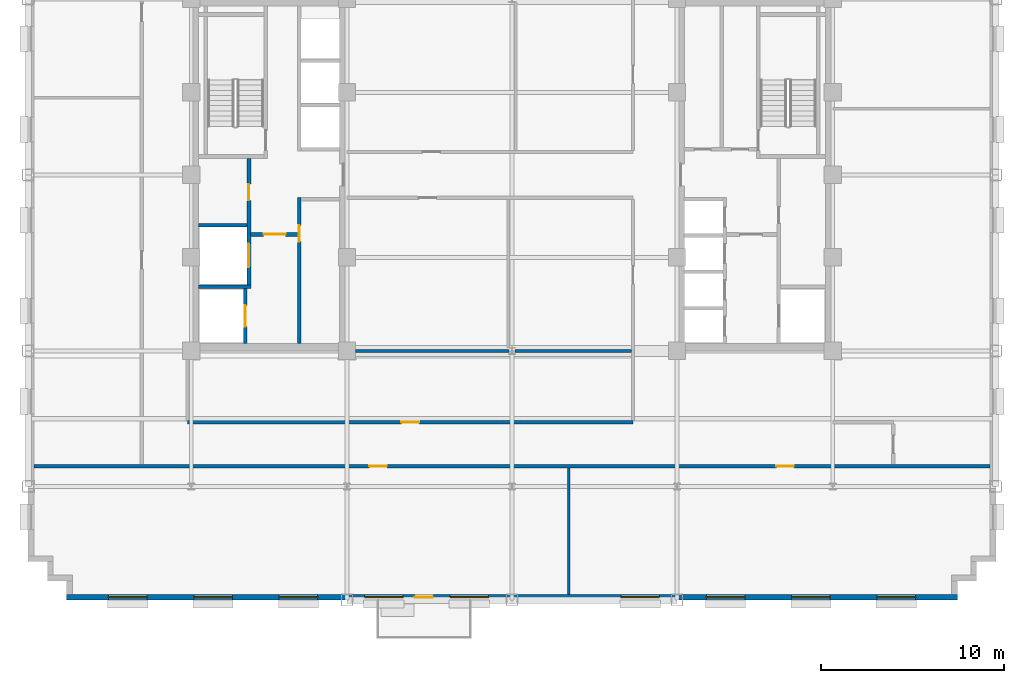
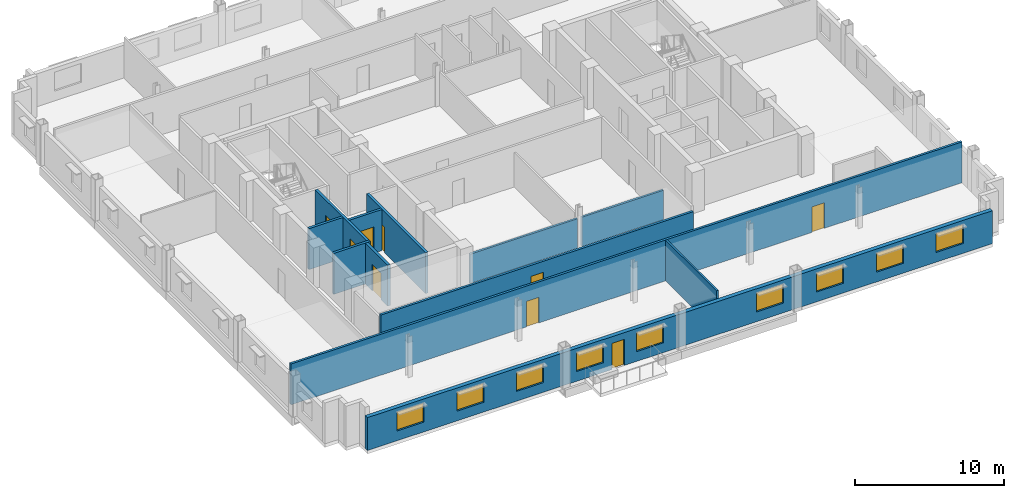
# One storey, part 6 of 14: 12 walls, 9 doors, 9 windows, 18 openings.
"""IFC4 building model written with IfcOpenShell, lengths in metres."""

from ifc_helpers import new_model, si_unit, direction, frame, frame_2d, origin, place, context, subcontext, project, spatial, rectangle, extrude, source, transform, mapped, material, layer, layer_set, type_object, type_shapes, element, fill, save


model = new_model("IFC4")

# Units and contexts
model_context = context("Model", 3, precision=1e-05, world=origin(), true_north=direction((0.0, 1.0)))
body_context = subcontext(model_context, "Body", "Model", "MODEL_VIEW")
ifc_project = project(units=[si_unit("LENGTHUNIT", "METRE"), si_unit("AREAUNIT", "SQUARE_METRE"), si_unit("VOLUMEUNIT", "CUBIC_METRE"), si_unit("PLANEANGLEUNIT", "RADIAN"), si_unit("MASSUNIT", "GRAM", prefix="KILO")], contexts=[model_context])

# Site, building, storey
site_placement = place(None, origin())
site = spatial("IfcSite", under=ifc_project, at=site_placement, CompositionType="ELEMENT")
building_placement = place(site_placement, origin())
building = spatial("IfcBuilding", under=site, at=building_placement, Name="Nuvemarco Arch Tower", CompositionType="ELEMENT")
storey_placement = place(building_placement, frame((0.0, 0.0, 142.10009765625)))
storey = spatial("IfcBuildingStorey", under=building, at=storey_placement, Name="L37", CompositionType="ELEMENT", Elevation=142.10009765625)

# Wall, openings, door, windows
ifc_material_1 = material(Name="Precast concrete C45/55", Category="concrete")
ifc_layer_1 = layer(ifc_material_1, 0.320068359375, Name="EW-MID-320")
ifc_layer_set_1 = layer_set([ifc_layer_1], Name="Precast concrete C45/55")
wall_type_1 = type_object("IfcWallType", Name="EW-MID-320", PredefinedType="STANDARD", material=ifc_layer_set_1)
wall_1_placement = place(storey_placement, frame((-24.300048828125, -23.0400390625, 0.0), z_axis=(0.0, 0.0, 1.0), x_axis=(1.0, 0.0, 0.0)))
wall_1 = element("IfcWall", 1, at=wall_1_placement, inside=storey, type_object=wall_type_1, Name="L37 exterior precast facade wall 1", PredefinedType="STANDARD", context=body_context, shape_type="SweptSolid", body=[
    extrude(rectangle(XDim=48.60009765625, YDim=0.320068359375, at=frame_2d((24.300048828125, 0.0))), origin(), (0.0, 0.0, 1.0), 2.704833984375),
])
opening_1_placement = place(wall_1_placement, frame((19.97998046875, 0.0, 0.0), z_axis=(0.0, 0.0, 1.0), x_axis=(-1.0, 0.0, 0.0)))
opening_1 = element("IfcOpeningElement", 2, at=opening_1_placement, cuts=wall_1, Name="Opening ED-6", PredefinedType="OPENING", context=body_context, shape_type="SweptSolid", body=[
    extrude(rectangle(XDim=0.97998046875, YDim=2.14990234375, at=frame_2d((0.489990234375, 1.074951171875))), frame((0.0, 0.169921875, 0.0), z_axis=(0.0, -1.0, 0.0), x_axis=(1.0, 0.0, 0.0)), (0.0, 0.0, 1.0), 0.340087890625),
])
opening_2_placement = place(wall_1_placement, frame((2.280029296875, 0.0, 0.800048828125)))
opening_2 = element("IfcOpeningElement", 3, at=opening_2_placement, cuts=wall_1, Name="Opening WN-5", PredefinedType="OPENING", context=body_context, shape_type="SweptSolid", body=[
    extrude(rectangle(XDim=2.10009765625, YDim=1.56005859375, at=frame_2d((1.050048828125, 0.780029296875))), frame((0.0, 0.169921875, 0.0), z_axis=(0.0, -1.0, 0.0), x_axis=(1.0, 0.0, 0.0)), (0.0, 0.0, 1.0), 0.340087890625),
])
opening_3_placement = place(wall_1_placement, frame((6.93994140625, 0.0, 0.800048828125)))
opening_3 = element("IfcOpeningElement", 4, at=opening_3_placement, cuts=wall_1, Name="Opening WN-5", PredefinedType="OPENING", context=body_context, shape_type="SweptSolid", body=[
    extrude(rectangle(XDim=2.10009765625, YDim=1.56005859375, at=frame_2d((1.050048828125, 0.780029296875))), frame((0.0, 0.169921875, 0.0), z_axis=(0.0, -1.0, 0.0), x_axis=(1.0, 0.0, 0.0)), (0.0, 0.0, 1.0), 0.340087890625),
])
opening_4_placement = place(wall_1_placement, frame((11.60009765625, 0.0, 0.800048828125)))
opening_4 = element("IfcOpeningElement", 5, at=opening_4_placement, cuts=wall_1, Name="Opening WN-5", PredefinedType="OPENING", context=body_context, shape_type="SweptSolid", body=[
    extrude(rectangle(XDim=2.10009765625, YDim=1.56005859375, at=frame_2d((1.050048828125, 0.780029296875))), frame((0.0, 0.169921875, 0.0), z_axis=(0.0, -1.0, 0.0), x_axis=(1.0, 0.0, 0.0)), (0.0, 0.0, 1.0), 0.340087890625),
])
opening_5_placement = place(wall_1_placement, frame((16.260009765625, 0.0, 0.800048828125)))
opening_5 = element("IfcOpeningElement", 6, at=opening_5_placement, cuts=wall_1, Name="Opening WN-5", PredefinedType="OPENING", context=body_context, shape_type="SweptSolid", body=[
    extrude(rectangle(XDim=2.10009765625, YDim=1.56005859375, at=frame_2d((1.050048828125, 0.780029296875))), frame((0.0, 0.169921875, 0.0), z_axis=(0.0, -1.0, 0.0), x_axis=(1.0, 0.0, 0.0)), (0.0, 0.0, 1.0), 0.340087890625),
])
opening_6_placement = place(wall_1_placement, frame((20.919921875, 0.0, 0.800048828125)))
opening_6 = element("IfcOpeningElement", 7, at=opening_6_placement, cuts=wall_1, Name="Opening WN-5", PredefinedType="OPENING", context=body_context, shape_type="SweptSolid", body=[
    extrude(rectangle(XDim=2.10009765625, YDim=1.56005859375, at=frame_2d((1.050048828125, 0.780029296875))), frame((0.0, 0.169921875, 0.0), z_axis=(0.0, -1.0, 0.0), x_axis=(1.0, 0.0, 0.0)), (0.0, 0.0, 1.0), 0.340087890625),
])
opening_7_placement = place(wall_1_placement, frame((30.239990234375, 0.0, 0.800048828125)))
opening_7 = element("IfcOpeningElement", 8, at=opening_7_placement, cuts=wall_1, Name="Opening WN-5", PredefinedType="OPENING", context=body_context, shape_type="SweptSolid", body=[
    extrude(rectangle(XDim=2.10009765625, YDim=1.56005859375, at=frame_2d((1.050048828125, 0.780029296875))), frame((0.0, 0.169921875, 0.0), z_axis=(0.0, -1.0, 0.0), x_axis=(1.0, 0.0, 0.0)), (0.0, 0.0, 1.0), 0.340087890625),
])
opening_8_placement = place(wall_1_placement, frame((34.89990234375, 0.0, 0.800048828125)))
opening_8 = element("IfcOpeningElement", 9, at=opening_8_placement, cuts=wall_1, Name="Opening WN-5", PredefinedType="OPENING", context=body_context, shape_type="SweptSolid", body=[
    extrude(rectangle(XDim=2.10009765625, YDim=1.56005859375, at=frame_2d((1.050048828125, 0.780029296875))), frame((0.0, 0.169921875, 0.0), z_axis=(0.0, -1.0, 0.0), x_axis=(1.0, 0.0, 0.0)), (0.0, 0.0, 1.0), 0.340087890625),
])
opening_9_placement = place(wall_1_placement, frame((39.56005859375, 0.0, 0.800048828125)))
opening_9 = element("IfcOpeningElement", 10, at=opening_9_placement, cuts=wall_1, Name="Opening WN-5", PredefinedType="OPENING", context=body_context, shape_type="SweptSolid", body=[
    extrude(rectangle(XDim=2.10009765625, YDim=1.56005859375, at=frame_2d((1.050048828125, 0.780029296875))), frame((0.0, 0.169921875, 0.0), z_axis=(0.0, -1.0, 0.0), x_axis=(1.0, 0.0, 0.0)), (0.0, 0.0, 1.0), 0.340087890625),
])
opening_10_placement = place(wall_1_placement, frame((44.219970703125, 0.0, 0.800048828125)))
opening_10 = element("IfcOpeningElement", 11, at=opening_10_placement, cuts=wall_1, Name="Opening WN-5", PredefinedType="OPENING", context=body_context, shape_type="SweptSolid", body=[
    extrude(rectangle(XDim=2.10009765625, YDim=1.56005859375, at=frame_2d((1.050048828125, 0.780029296875))), frame((0.0, 0.169921875, 0.0), z_axis=(0.0, -1.0, 0.0), x_axis=(1.0, 0.0, 0.0)), (0.0, 0.0, 1.0), 0.340087890625),
])
ifc_material_2 = material(Name="Anodised bronze and laminated glass", Category="glass")
door_type_1 = type_object("IfcDoorType", Name="DR-EXT-BALC", OperationType="NOTDEFINED", PredefinedType="DOOR", material=ifc_material_2)
shared_shape_1 = source(origin(), body_context, "Body", "SweptSolid", [
    extrude(rectangle(XDim=0.97998046875, YDim=2.14990234375, at=frame_2d((0.489990234375, 1.074951171875))), frame((0.0, 0.02490234375, 0.0), z_axis=(0.0, -1.0, 0.0), x_axis=(1.0, 0.0, 0.0)), (0.0, 0.0, 1.0), 0.050048828125),
])
type_shapes(door_type_1, [shared_shape_1])
door_1_placement = place(opening_1_placement, origin())
door_1 = element("IfcDoor", 12, at=door_1_placement, inside=storey, type_object=door_type_1, Name="L37 tree balcony access door", OperationType="SINGLE_SWING_RIGHT", OverallHeight=2.14990234375, OverallWidth=0.97998046875, PredefinedType="DOOR", context=body_context, shape_type="MappedRepresentation", body=[
    mapped(shared_shape_1, transform((0.0, 0.0, 0.0), scale=1.0)),
])
fill(opening_1, door_1)
ifc_material_3 = material(Name="Insulated solar-control glass", Category="glass")
window_type = type_object("IfcWindowType", Name="WN-MID-2100x1560", PartitioningType="DOUBLE_PANEL_VERTICAL", PredefinedType="WINDOW", material=ifc_material_3)
shared_shape_2 = source(origin(), body_context, "Body", "SweptSolid", [
    extrude(rectangle(XDim=2.10009765625, YDim=1.56005859375, at=frame_2d((1.050048828125, 0.780029296875))), frame((0.0, 0.030029296875, 0.0), z_axis=(0.0, -1.0, 0.0), x_axis=(1.0, 0.0, 0.0)), (0.0, 0.0, 1.0), 0.06005859375),
])
type_shapes(window_type, [shared_shape_2])
window_1_placement = place(opening_2_placement, origin())
window_1 = element("IfcWindow", 13, at=window_1_placement, inside=storey, type_object=window_type, Name="L37 punched facade window 1", OverallHeight=1.56005859375, OverallWidth=2.10009765625, PartitioningType="SINGLE_PANEL", PredefinedType="WINDOW", context=body_context, shape_type="MappedRepresentation", body=[
    mapped(shared_shape_2, transform((0.0, 0.0, 0.0), scale=1.0)),
])
fill(opening_2, window_1)
window_2_placement = place(opening_3_placement, origin())
window_2 = element("IfcWindow", 14, at=window_2_placement, inside=storey, type_object=window_type, Name="L37 punched facade window 2", OverallHeight=1.56005859375, OverallWidth=2.10009765625, PartitioningType="SINGLE_PANEL", PredefinedType="WINDOW", context=body_context, shape_type="MappedRepresentation", body=[
    mapped(shared_shape_2, transform((0.0, 0.0, 0.0), scale=1.0)),
])
fill(opening_3, window_2)
window_3_placement = place(opening_4_placement, origin())
window_3 = element("IfcWindow", 15, at=window_3_placement, inside=storey, type_object=window_type, Name="L37 punched facade window 3", OverallHeight=1.56005859375, OverallWidth=2.10009765625, PartitioningType="SINGLE_PANEL", PredefinedType="WINDOW", context=body_context, shape_type="MappedRepresentation", body=[
    mapped(shared_shape_2, transform((0.0, 0.0, 0.0), scale=1.0)),
])
fill(opening_4, window_3)
window_4_placement = place(opening_5_placement, origin())
window_4 = element("IfcWindow", 16, at=window_4_placement, inside=storey, type_object=window_type, Name="L37 punched facade window 4", OverallHeight=1.56005859375, OverallWidth=2.10009765625, PartitioningType="SINGLE_PANEL", PredefinedType="WINDOW", context=body_context, shape_type="MappedRepresentation", body=[
    mapped(shared_shape_2, transform((0.0, 0.0, 0.0), scale=1.0)),
])
fill(opening_5, window_4)
window_5_placement = place(opening_6_placement, origin())
window_5 = element("IfcWindow", 17, at=window_5_placement, inside=storey, type_object=window_type, Name="L37 punched facade window 5", OverallHeight=1.56005859375, OverallWidth=2.10009765625, PartitioningType="SINGLE_PANEL", PredefinedType="WINDOW", context=body_context, shape_type="MappedRepresentation", body=[
    mapped(shared_shape_2, transform((0.0, 0.0, 0.0), scale=1.0)),
])
fill(opening_6, window_5)
window_6_placement = place(opening_7_placement, origin())
window_6 = element("IfcWindow", 18, at=window_6_placement, inside=storey, type_object=window_type, Name="L37 punched facade window 7", OverallHeight=1.56005859375, OverallWidth=2.10009765625, PartitioningType="SINGLE_PANEL", PredefinedType="WINDOW", context=body_context, shape_type="MappedRepresentation", body=[
    mapped(shared_shape_2, transform((0.0, 0.0, 0.0), scale=1.0)),
])
fill(opening_7, window_6)
window_7_placement = place(opening_8_placement, origin())
window_7 = element("IfcWindow", 19, at=window_7_placement, inside=storey, type_object=window_type, Name="L37 punched facade window 8", OverallHeight=1.56005859375, OverallWidth=2.10009765625, PartitioningType="SINGLE_PANEL", PredefinedType="WINDOW", context=body_context, shape_type="MappedRepresentation", body=[
    mapped(shared_shape_2, transform((0.0, 0.0, 0.0), scale=1.0)),
])
fill(opening_8, window_7)
window_8_placement = place(opening_9_placement, origin())
window_8 = element("IfcWindow", 20, at=window_8_placement, inside=storey, type_object=window_type, Name="L37 punched facade window 9", OverallHeight=1.56005859375, OverallWidth=2.10009765625, PartitioningType="SINGLE_PANEL", PredefinedType="WINDOW", context=body_context, shape_type="MappedRepresentation", body=[
    mapped(shared_shape_2, transform((0.0, 0.0, 0.0), scale=1.0)),
])
fill(opening_9, window_8)
window_9_placement = place(opening_10_placement, origin())
window_9 = element("IfcWindow", 21, at=window_9_placement, inside=storey, type_object=window_type, Name="L37 punched facade window 10", OverallHeight=1.56005859375, OverallWidth=2.10009765625, PartitioningType="SINGLE_PANEL", PredefinedType="WINDOW", context=body_context, shape_type="MappedRepresentation", body=[
    mapped(shared_shape_2, transform((0.0, 0.0, 0.0), scale=1.0)),
])
fill(opening_10, window_9)

# Wall, openings, doors
ifc_material_4 = material(Name="Fire-rated gypsum drywall partition")
ifc_layer_2 = layer(ifc_material_4, 0.179931640625, Name="WL-CORR-180")
ifc_layer_set_2 = layer_set([ifc_layer_2], Name="Fire-rated gypsum drywall partition")
wall_type_2 = type_object("IfcWallType", Name="WL-CORR-180", PredefinedType="PARTITIONING", material=ifc_layer_set_2)
wall_2_placement = place(storey_placement, frame((-26.080078125, -15.89990234375, 0.0), z_axis=(0.0, 0.0, 1.0), x_axis=(1.0, 0.0, 0.0)))
wall_2 = element("IfcWall", 22, at=wall_2_placement, inside=storey, type_object=wall_type_2, Name="L37 interior wall IW-L37-001", PredefinedType="PARTITIONING", context=body_context, shape_type="SweptSolid", body=[
    extrude(rectangle(XDim=52.16015625, YDim=0.179931640625, at=frame_2d((26.080078125, 0.0))), origin(), (0.0, 0.0, 1.0), 3.35986328125),
])
opening_11_placement = place(wall_2_placement, frame((18.300048828125, 0.0, 0.0)))
opening_11 = element("IfcOpeningElement", 23, at=opening_11_placement, cuts=wall_2, Name="Opening FD-5", PredefinedType="OPENING", context=body_context, shape_type="SweptSolid", body=[
    extrude(rectangle(XDim=0.9599609375, YDim=2.10009765625, at=frame_2d((0.47998046875, 1.050048828125))), frame((0.0, 0.099853515625, 0.0), z_axis=(0.0, -1.0, 0.0), x_axis=(1.0, 0.0, 0.0)), (0.0, 0.0, 1.0), 0.199951171875),
])
opening_12_placement = place(wall_2_placement, frame((40.5, 0.0, 0.0)))
opening_12 = element("IfcOpeningElement", 24, at=opening_12_placement, cuts=wall_2, Name="Opening FD-5", PredefinedType="OPENING", context=body_context, shape_type="SweptSolid", body=[
    extrude(rectangle(XDim=0.9599609375, YDim=2.10009765625, at=frame_2d((0.47998046875, 1.050048828125))), frame((0.0, 0.099853515625, 0.0), z_axis=(0.0, -1.0, 0.0), x_axis=(1.0, 0.0, 0.0)), (0.0, 0.0, 1.0), 0.199951171875),
])
ifc_material_5 = material(Name="Timber fire door", Category="wood")
door_type_2 = type_object("IfcDoorType", Name="DR-CORR-FD", OperationType="NOTDEFINED", PredefinedType="DOOR", material=ifc_material_5)
shared_shape_3 = source(origin(), body_context, "Body", "SweptSolid", [
    extrude(rectangle(XDim=0.9599609375, YDim=2.10009765625, at=frame_2d((0.47998046875, 1.050048828125))), frame((0.0, 0.02490234375, 0.0), z_axis=(0.0, -1.0, 0.0), x_axis=(1.0, 0.0, 0.0)), (0.0, 0.0, 1.0), 0.050048828125),
])
type_shapes(door_type_2, [shared_shape_3])
door_2_placement = place(opening_11_placement, origin())
door_2 = element("IfcDoor", 25, at=door_2_placement, inside=storey, type_object=door_type_2, Name="L37 door DR-L37-S_1", OperationType="SINGLE_SWING_RIGHT", OverallHeight=2.10009765625, OverallWidth=0.9599609375, PredefinedType="DOOR", context=body_context, shape_type="MappedRepresentation", body=[
    mapped(shared_shape_3, transform((0.0, 0.0, 0.0), scale=1.0)),
])
fill(opening_11, door_2)
door_3_placement = place(opening_12_placement, origin())
door_3 = element("IfcDoor", 26, at=door_3_placement, inside=storey, type_object=door_type_2, Name="L37 door DR-L37-S_2", OperationType="SINGLE_SWING_RIGHT", OverallHeight=2.10009765625, OverallWidth=0.9599609375, PredefinedType="DOOR", context=body_context, shape_type="MappedRepresentation", body=[
    mapped(shared_shape_3, transform((0.0, 0.0, 0.0), scale=1.0)),
])
fill(opening_12, door_3)

# Wall, opening, door
wall_3_placement = place(storey_placement, frame((-17.699951171875, -13.5, 0.0), z_axis=(0.0, 0.0, 1.0), x_axis=(1.0, 0.0, 0.0)))
wall_3 = element("IfcWall", 27, at=wall_3_placement, inside=storey, type_object=wall_type_2, Name="L37 interior wall IW-L37-002", PredefinedType="PARTITIONING", context=body_context, shape_type="SweptSolid", body=[
    extrude(rectangle(XDim=24.300048828125, YDim=0.179931640625, at=frame_2d((12.14990234375, 0.0))), origin(), (0.0, 0.0, 1.0), 2.997802734375),
])
opening_13_placement = place(wall_3_placement, frame((11.669921875, 0.0, 0.0)))
opening_13 = element("IfcOpeningElement", 28, at=opening_13_placement, cuts=wall_3, Name="Opening FD-5", PredefinedType="OPENING", context=body_context, shape_type="SweptSolid", body=[
    extrude(rectangle(XDim=0.9599609375, YDim=2.10009765625, at=frame_2d((0.47998046875, 1.050048828125))), frame((0.0, 0.099853515625, 0.0), z_axis=(0.0, -1.0, 0.0), x_axis=(1.0, 0.0, 0.0)), (0.0, 0.0, 1.0), 0.199951171875),
])
door_4_placement = place(opening_13_placement, origin())
door_4 = element("IfcDoor", 29, at=door_4_placement, inside=storey, type_object=door_type_2, Name="L37 door DR-L37-IN_S1", OperationType="SINGLE_SWING_LEFT", OverallHeight=2.10009765625, OverallWidth=0.9599609375, PredefinedType="DOOR", context=body_context, shape_type="MappedRepresentation", body=[
    mapped(shared_shape_3, transform((0.0, 0.0, 0.0), scale=1.0)),
])
fill(opening_13, door_4)

# Wall
ifc_material_6 = material(Name="Gypsum plasterboard partition")
ifc_layer_3 = layer(ifc_material_6, 0.139892578125, Name="WL-ROOM-140")
ifc_layer_set_3 = layer_set([ifc_layer_3], Name="Gypsum plasterboard partition")
wall_type_3 = type_object("IfcWallType", Name="WL-ROOM-140", PredefinedType="PARTITIONING", material=ifc_layer_set_3)
wall_4_placement = place(storey_placement, frame((3.10009765625, -22.8798828125, 0.0), z_axis=(0.0, 0.0, 1.0), x_axis=(0.0, 1.0, 0.0)))
element("IfcWall", 30, at=wall_4_placement, inside=storey, type_object=wall_type_3, Name="L37 interior wall IW-L37-025", PredefinedType="PARTITIONING", context=body_context, shape_type="SweptSolid", body=[
    extrude(rectangle(XDim=6.893798828125, YDim=0.139892578125, at=frame_2d((3.44677734375, 0.0))), origin(), (0.0, 0.0, 1.0), 3.35986328125),
])

# Wall, opening, door
ifc_material_7 = material(Name="Concrete C50/60", Category="concrete")
ifc_layer_4 = layer(ifc_material_7, 0.199951171875, Name="WL-SHAFT-220")
ifc_layer_set_4 = layer_set([ifc_layer_4], Name="Concrete C50/60")
wall_type_4 = type_object("IfcWallType", Name="WL-SHAFT-220", PredefinedType="SHEAR", material=ifc_layer_set_4)
wall_5_placement = place(storey_placement, frame((-14.550048828125, -9.205078125, 0.0), z_axis=(0.0, 0.0, 1.0), x_axis=(0.0, 1.0, 0.0)))
wall_5 = element("IfcWall", 31, at=wall_5_placement, inside=storey, type_object=wall_type_4, Name="L37 structural shaft wall SW-L37-W-SHE", PredefinedType="SHEAR", context=body_context, shape_type="SweptSolid", body=[
    extrude(rectangle(XDim=3.010009765625, YDim=0.199951171875, at=frame_2d((1.5048828125, 0.0))), origin(), (0.0, 0.0, 1.0), 3.369873046875),
])
opening_14_placement = place(wall_5_placement, frame((0.929931640625, 0.0, 0.0)))
opening_14 = element("IfcOpeningElement", 32, at=opening_14_placement, cuts=wall_5, Name="Opening LD-2", PredefinedType="OPENING", context=body_context, shape_type="SweptSolid", body=[
    extrude(rectangle(XDim=1.14990234375, YDim=2.14990234375, at=frame_2d((0.574951171875, 1.074951171875))), frame((0.0, 0.10986328125, 0.0), z_axis=(0.0, -1.0, 0.0), x_axis=(1.0, 0.0, 0.0)), (0.0, 0.0, 1.0), 0.219970703125),
])
ifc_material_8 = material(Name="Stainless steel lift door", Category="steel")
door_type_3 = type_object("IfcDoorType", Name="DR-LIFT-FIRE", OperationType="DOUBLE_DOOR_SLIDING", PredefinedType="DOOR", material=ifc_material_8)
shared_shape_4 = source(origin(), body_context, "Body", "SweptSolid", [
    extrude(rectangle(XDim=1.14990234375, YDim=2.14990234375, at=frame_2d((0.574951171875, 1.074951171875))), frame((0.0, 0.02490234375, 0.0), z_axis=(0.0, -1.0, 0.0), x_axis=(1.0, 0.0, 0.0)), (0.0, 0.0, 1.0), 0.050048828125),
])
type_shapes(door_type_3, [shared_shape_4])
door_5_placement = place(opening_14_placement, origin())
door_5 = element("IfcDoor", 33, at=door_5_placement, inside=storey, type_object=door_type_3, Name="L37 Lift landing sliding door FFL-1", OperationType="DOUBLE_DOOR_SLIDING", OverallHeight=2.14990234375, OverallWidth=1.14990234375, PredefinedType="DOOR", context=body_context, shape_type="MappedRepresentation", body=[
    mapped(shared_shape_4, transform((0.0, 0.0, 0.0), scale=1.0)),
])
fill(opening_14, door_5)

# Wall, openings, doors
wall_6_placement = place(storey_placement, frame((-14.35009765625, -6.199951171875, 0.0), z_axis=(0.0, 0.0, 1.0), x_axis=(0.0, 1.0, 0.0)))
wall_6 = element("IfcWall", 34, at=wall_6_placement, inside=storey, type_object=wall_type_4, Name="L37 structural shaft wall SW-L37-W-SVE", PredefinedType="SHEAR", context=body_context, shape_type="SweptSolid", body=[
    extrude(rectangle(XDim=7.10498046875, YDim=0.199951171875, at=frame_2d((3.552490234375, 0.0))), origin(), (0.0, 0.0, 1.0), 3.369873046875),
])
opening_15_placement = place(wall_6_placement, frame((5.68994140625, 0.0, 0.0), z_axis=(0.0, 0.0, 1.0), x_axis=(-1.0, 0.0, 0.0)))
opening_15 = element("IfcOpeningElement", 35, at=opening_15_placement, cuts=wall_6, Name="Opening FD-4", PredefinedType="OPENING", context=body_context, shape_type="SweptSolid", body=[
    extrude(rectangle(XDim=0.8798828125, YDim=2.10009765625, at=frame_2d((0.43994140625, 1.050048828125))), frame((0.0, 0.10986328125, 0.0), z_axis=(0.0, -1.0, 0.0), x_axis=(1.0, 0.0, 0.0)), (0.0, 0.0, 1.0), 0.219970703125),
])
opening_16_placement = place(wall_6_placement, frame((1.14990234375, 0.0, 0.0)))
opening_16 = element("IfcOpeningElement", 36, at=opening_16_placement, cuts=wall_6, Name="Opening LD-3", PredefinedType="OPENING", context=body_context, shape_type="SweptSolid", body=[
    extrude(rectangle(XDim=1.300048828125, YDim=2.199951171875, at=frame_2d((0.64990234375, 1.10009765625))), frame((0.0, 0.10986328125, 0.0), z_axis=(0.0, -1.0, 0.0), x_axis=(1.0, 0.0, 0.0)), (0.0, 0.0, 1.0), 0.219970703125),
])
ifc_material_9 = material(Name="Anodised steel fire door", Category="steel")
door_type_4 = type_object("IfcDoorType", Name="DR-RISER-FD", OperationType="NOTDEFINED", PredefinedType="DOOR", material=ifc_material_9)
shared_shape_5 = source(origin(), body_context, "Body", "SweptSolid", [
    extrude(rectangle(XDim=0.8798828125, YDim=2.10009765625, at=frame_2d((0.43994140625, 1.050048828125))), frame((0.0, 0.02490234375, 0.0), z_axis=(0.0, -1.0, 0.0), x_axis=(1.0, 0.0, 0.0)), (0.0, 0.0, 1.0), 0.050048828125),
])
type_shapes(door_type_4, [shared_shape_5])
door_6_placement = place(opening_15_placement, origin())
door_6 = element("IfcDoor", 37, at=door_6_placement, inside=storey, type_object=door_type_4, Name="L37 door FD-L37-WRIS", OperationType="SINGLE_SWING_RIGHT", OverallHeight=2.10009765625, OverallWidth=0.8798828125, PredefinedType="DOOR", context=body_context, shape_type="MappedRepresentation", body=[
    mapped(shared_shape_5, transform((0.0, 0.0, 0.0), scale=1.0)),
])
fill(opening_15, door_6)
door_type_5 = type_object("IfcDoorType", Name="DR-LIFT-SERV", OperationType="DOUBLE_DOOR_SLIDING", PredefinedType="DOOR", material=ifc_material_8)
shared_shape_6 = source(origin(), body_context, "Body", "SweptSolid", [
    extrude(rectangle(XDim=1.300048828125, YDim=2.199951171875, at=frame_2d((0.64990234375, 1.10009765625))), frame((0.0, 0.02490234375, 0.0), z_axis=(0.0, -1.0, 0.0), x_axis=(1.0, 0.0, 0.0)), (0.0, 0.0, 1.0), 0.050048828125),
])
type_shapes(door_type_5, [shared_shape_6])
door_7_placement = place(opening_16_placement, origin())
door_7 = element("IfcDoor", 38, at=door_7_placement, inside=storey, type_object=door_type_5, Name="L37 Lift landing sliding door SVL-1", OperationType="DOUBLE_DOOR_SLIDING", OverallHeight=2.199951171875, OverallWidth=1.300048828125, PredefinedType="DOOR", context=body_context, shape_type="MappedRepresentation", body=[
    mapped(shared_shape_6, transform((0.0, 0.0, 0.0), scale=1.0)),
])
fill(opening_16, door_7)

# Walls
wall_7_placement = place(storey_placement, frame((-17.10498046875, -6.10009765625, 0.0), z_axis=(0.0, 0.0, 1.0), x_axis=(1.0, 0.0, 0.0)))
element("IfcWall", 39, at=wall_7_placement, inside=storey, type_object=wall_type_4, Name="L37 structural shaft wall SW-L37-W-SH1", PredefinedType="SHEAR", context=body_context, shape_type="SweptSolid", body=[
    extrude(rectangle(XDim=2.85498046875, YDim=0.199951171875, at=frame_2d((1.427490234375, 0.0))), origin(), (0.0, 0.0, 1.0), 3.369873046875),
])
wall_8_placement = place(storey_placement, frame((-17.10498046875, -2.75, 0.0), z_axis=(0.0, 0.0, 1.0), x_axis=(1.0, 0.0, 0.0)))
element("IfcWall", 40, at=wall_8_placement, inside=storey, type_object=wall_type_4, Name="L37 structural shaft wall SW-L37-W-SH2", PredefinedType="SHEAR", context=body_context, shape_type="SweptSolid", body=[
    extrude(rectangle(XDim=2.659912109375, YDim=0.199951171875, at=frame_2d((1.330078125, 0.0))), origin(), (0.0, 0.0, 1.0), 3.369873046875),
])

# Wall, opening, door
wall_9_placement = place(storey_placement, frame((-11.60009765625, -9.205078125, 0.0), z_axis=(0.0, 0.0, 1.0), x_axis=(0.0, 1.0, 0.0)))
wall_9 = element("IfcWall", 41, at=wall_9_placement, inside=storey, type_object=wall_type_4, Name="L37 structural shaft wall SW-L37-W-PLW", PredefinedType="SHEAR", context=body_context, shape_type="SweptSolid", body=[
    extrude(rectangle(XDim=7.97509765625, YDim=0.199951171875, at=frame_2d((3.987548828125, 0.0))), origin(), (0.0, 0.0, 1.0), 3.369873046875),
])
opening_17_placement = place(wall_9_placement, frame((5.56494140625, 0.0, 0.0)))
opening_17 = element("IfcOpeningElement", 42, at=opening_17_placement, cuts=wall_9, Name="Opening FD-4", PredefinedType="OPENING", context=body_context, shape_type="SweptSolid", body=[
    extrude(rectangle(XDim=0.8798828125, YDim=2.10009765625, at=frame_2d((0.43994140625, 1.050048828125))), frame((0.0, 0.10986328125, 0.0), z_axis=(0.0, -1.0, 0.0), x_axis=(1.0, 0.0, 0.0)), (0.0, 0.0, 1.0), 0.219970703125),
])
door_8_placement = place(opening_17_placement, origin())
door_8 = element("IfcDoor", 43, at=door_8_placement, inside=storey, type_object=door_type_4, Name="L37 door FD-L37-WREC1", OperationType="SINGLE_SWING_RIGHT", OverallHeight=2.10009765625, OverallWidth=0.8798828125, PredefinedType="DOOR", context=body_context, shape_type="MappedRepresentation", body=[
    mapped(shared_shape_5, transform((0.0, 0.0, 0.0), scale=1.0)),
])
fill(opening_17, door_8)

wall_10_placement = place(storey_placement, frame((-14.2548828125, -3.25, 0.0), z_axis=(0.0, 0.0, 1.0), x_axis=(1.0, 0.0, 0.0)))
wall_10 = element("IfcWall", 44, at=wall_10_placement, inside=storey, type_object=wall_type_4, Name="L37 structural shaft wall SW-L37-W-FFN", PredefinedType="SHEAR", context=body_context, shape_type="SweptSolid", body=[
    extrude(rectangle(XDim=2.559814453125, YDim=0.199951171875, at=frame_2d((1.27978515625, 0.0))), origin(), (0.0, 0.0, 1.0), 3.369873046875),
])
opening_18_placement = place(wall_10_placement, frame((0.705078125, 0.0, 0.0)))
opening_18 = element("IfcOpeningElement", 45, at=opening_18_placement, cuts=wall_10, Name="Opening FD-2", PredefinedType="OPENING", context=body_context, shape_type="SweptSolid", body=[
    extrude(rectangle(XDim=1.199951171875, YDim=2.14990234375, at=frame_2d((0.60009765625, 1.074951171875))), frame((0.0, 0.10986328125, 0.0), z_axis=(0.0, -1.0, 0.0), x_axis=(1.0, 0.0, 0.0)), (0.0, 0.0, 1.0), 0.219970703125),
])
door_type_6 = type_object("IfcDoorType", Name="DR-FFLOB-FD", OperationType="NOTDEFINED", PredefinedType="DOOR", material=ifc_material_9)
shared_shape_7 = source(origin(), body_context, "Body", "SweptSolid", [
    extrude(rectangle(XDim=1.199951171875, YDim=2.14990234375, at=frame_2d((0.60009765625, 1.074951171875))), frame((0.0, 0.02490234375, 0.0), z_axis=(0.0, -1.0, 0.0), x_axis=(1.0, 0.0, 0.0)), (0.0, 0.0, 1.0), 0.050048828125),
])
type_shapes(door_type_6, [shared_shape_7])
door_9_placement = place(opening_18_placement, origin())
door_9 = element("IfcDoor", 46, at=door_9_placement, inside=storey, type_object=door_type_6, Name="L37 door FD-L37-WFF1", OperationType="SINGLE_SWING_RIGHT", OverallHeight=2.14990234375, OverallWidth=1.199951171875, PredefinedType="DOOR", context=body_context, shape_type="MappedRepresentation", body=[
    mapped(shared_shape_7, transform((0.0, 0.0, 0.0), scale=1.0)),
])
fill(opening_18, door_9)

# Walls
ifc_material_10 = material(Name="Acoustic gypsum drywall partition")
ifc_layer_5 = layer(ifc_material_10, 0.159912109375, Name="WL-TENANT-160")
ifc_layer_set_5 = layer_set([ifc_layer_5], Name="Acoustic gypsum drywall partition")
wall_type_5 = type_object("IfcWallType", Name="WL-TENANT-160", PredefinedType="PARTITIONING", material=ifc_layer_set_5)
wall_11_placement = place(storey_placement, frame((-8.529052734375, -9.60009765625, 0.0), z_axis=(0.0, 0.0, 1.0), x_axis=(1.0, 0.0, 0.0)))
element("IfcWall", 47, at=wall_11_placement, inside=storey, type_object=wall_type_5, Name="L37 interior wall IW-L37-004", PredefinedType="PARTITIONING", context=body_context, shape_type="SweptSolid", body=[
    extrude(rectangle(XDim=8.35302734375, YDim=0.159912109375, at=frame_2d((4.176513671875, 0.0))), origin(), (0.0, 0.0, 1.0), 2.40478515625),
])
wall_12_placement = place(storey_placement, frame((0.176025390625, -9.60009765625, 0.0), z_axis=(0.0, 0.0, 1.0), x_axis=(1.0, 0.0, 0.0)))
element("IfcWall", 48, at=wall_12_placement, inside=storey, type_object=wall_type_5, Name="L37 interior wall IW-L37-005", PredefinedType="PARTITIONING", context=body_context, shape_type="SweptSolid", body=[
    extrude(rectangle(XDim=6.337890625, YDim=0.159912109375, at=frame_2d((3.1689453125, 0.0))), origin(), (0.0, 0.0, 1.0), 2.40478515625),
])

save(model, "model.ifc")
